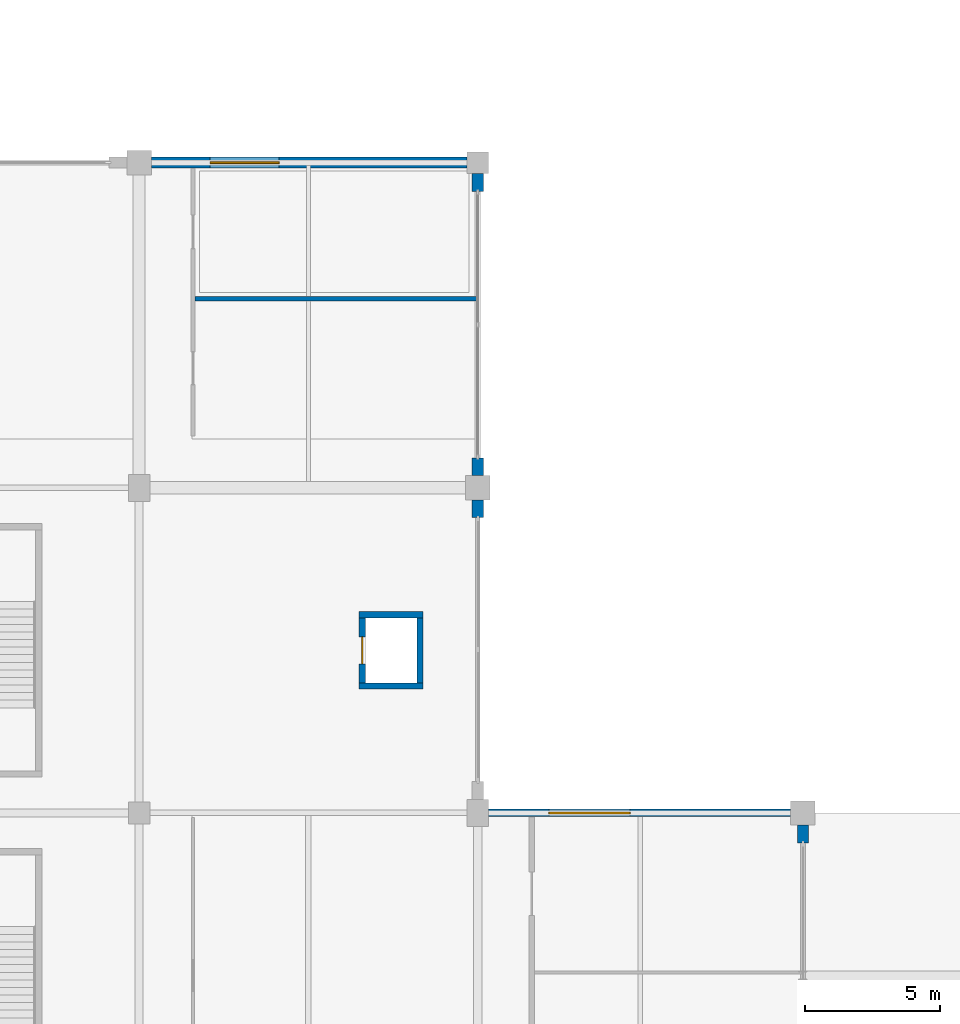
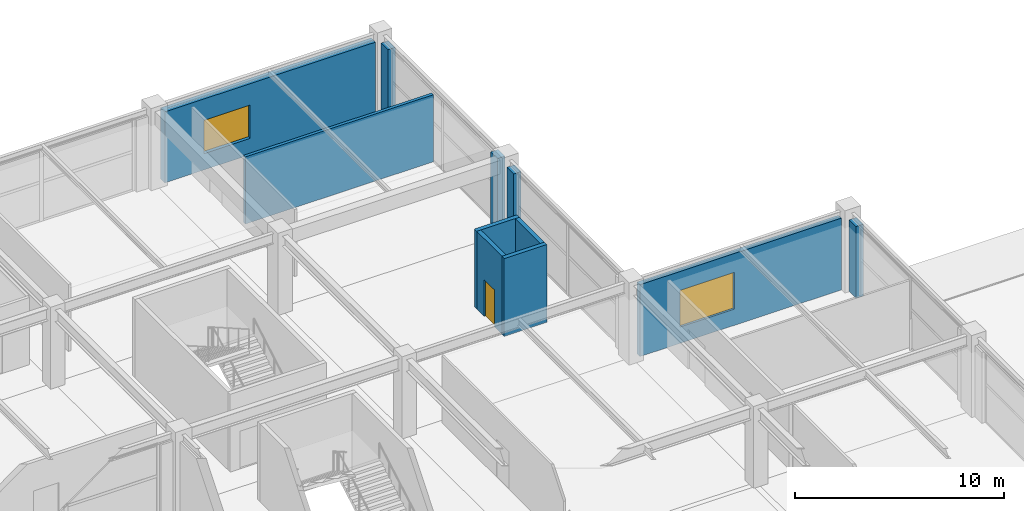
# One storey, part 93 of 134: 11 walls, 2 windows, 1 door, 3 openings.
"""IFC4 building model written with IfcOpenShell, lengths in metres."""

from ifc_helpers import new_model, si_unit, direction, frame, frame_2d, origin, place, context, subcontext, project, spatial, rectangle, extrude, material, layer, layer_set, type_object, element, fill, save


model = new_model("IFC4")

# Units and contexts
model_context = context("Model", 3, precision=1e-05, world=origin(), true_north=direction((0.0, 1.0)))
body_context = subcontext(model_context, "Body", "Model", "MODEL_VIEW")
ifc_project = project(units=[si_unit("LENGTHUNIT", "METRE"), si_unit("AREAUNIT", "SQUARE_METRE"), si_unit("VOLUMEUNIT", "CUBIC_METRE"), si_unit("PLANEANGLEUNIT", "RADIAN"), si_unit("MASSUNIT", "GRAM", prefix="KILO")], contexts=[model_context])

# Site, building, storey
site_placement = place(None, origin())
site = spatial("IfcSite", under=ifc_project, at=site_placement, CompositionType="ELEMENT")
building_placement = place(site_placement, origin())
building = spatial("IfcBuilding", under=site, at=building_placement, Name="Kazenohara Klinker Stadium", CompositionType="ELEMENT")
storey_placement = place(building_placement, frame((0.0, 0.0, 5.39990234375)))
storey = spatial("IfcBuildingStorey", under=building, at=storey_placement, Name="L01", CompositionType="ELEMENT", Elevation=5.39990234375)

# Walls
ifc_material_1 = material(Name="Concrete C40/50", Category="concrete")
ifc_layer_1 = layer(ifc_material_1, 0.22998046875)
ifc_layer_set_1 = layer_set([ifc_layer_1], Name="Concrete C40/50")
wall_type_1 = type_object("IfcWallType", Name="WAL-CORE-230", PredefinedType="SHEAR", material=ifc_layer_set_1)
for number, where, z_axis, x_axis, name in (
    (1, (195.6201171875, 136.68505859375, 0.0), (0.0, 0.0, 1.0), (1.0, 0.0, 0.0), "Elevator shaft wall LP05 L01 South"),
    (2, (195.6201171875, 139.31494140625, 0.0), (0.0, 0.0, 1.0), (1.0, 0.0, 0.0), "Elevator shaft wall LP05 L01 North"),
):
    element("IfcWall", number, at=place(storey_placement, frame(where, z_axis=z_axis, x_axis=x_axis)), inside=storey, type_object=wall_type_1, Name=name, PredefinedType="SHEAR", context=body_context, shape_type="SweptSolid", body=[
        extrude(rectangle(XDim=2.35986328125, YDim=0.22998046875, at=frame_2d((1.179931640625, 0.0))), origin(), (0.0, 0.0, 1.0), 4.550048828125),
    ])

# Wall, opening, door
wall_1_placement = place(storey_placement, frame((195.735107421875, 136.800048828125, 0.0), z_axis=(0.0, 0.0, 1.0), x_axis=(0.0, 1.0, 0.0)))
wall_1 = element("IfcWall", 3, at=wall_1_placement, inside=storey, type_object=wall_type_1, Name="Elevator shaft wall LP05 L01 West", PredefinedType="SHEAR", context=body_context, shape_type="SweptSolid", body=[
    extrude(rectangle(XDim=2.39990234375, YDim=0.22998046875, at=frame_2d((1.199951171875, 0.0))), origin(), (0.0, 0.0, 1.0), 4.550048828125),
])
opening_1_placement = place(wall_1_placement, frame((0.699951171875, 0.0, 0.0)))
opening_1 = element("IfcOpeningElement", 4, at=opening_1_placement, cuts=wall_1, Name="Opening LD02", PredefinedType="OPENING", context=body_context, shape_type="SweptSolid", body=[
    extrude(rectangle(XDim=1.0, YDim=2.14990234375, at=frame_2d((0.5, 1.074951171875))), frame((0.0, 0.125, 0.0), z_axis=(0.0, -1.0, 0.0), x_axis=(1.0, 0.0, 0.0)), (0.0, 0.0, 1.0), 0.25),
])
ifc_material_2 = material(Name="Stainless steel sliding landing door", Category="steel")
door_type = type_object("IfcDoorType", Name="DR-LD02-1000x2150", OperationType="NOTDEFINED", PredefinedType="DOOR", material=ifc_material_2)
door_placement = place(opening_1_placement, origin())
door = element("IfcDoor", 5, at=door_placement, inside=storey, type_object=door_type, Name="Elevator sliding landing door LP05-L01", OperationType="DOUBLE_DOOR_SLIDING", OverallHeight=2.14990234375, OverallWidth=1.0, PredefinedType="DOOR", context=body_context, shape_type="SweptSolid", body=[
    extrude(rectangle(XDim=1.0, YDim=2.14990234375, at=frame_2d((0.5, 1.074951171875))), frame((0.0, 0.02490234375, 0.0), z_axis=(0.0, -1.0, 0.0), x_axis=(1.0, 0.0, 0.0)), (0.0, 0.0, 1.0), 0.050048828125),
])
fill(opening_1, door)

# Wall
wall_2_placement = place(storey_placement, frame((197.864990234375, 136.800048828125, 0.0), z_axis=(0.0, 0.0, 1.0), x_axis=(0.0, 1.0, 0.0)))
element("IfcWall", 6, at=wall_2_placement, inside=storey, type_object=wall_type_1, Name="Elevator shaft wall LP05 L01 East", PredefinedType="SHEAR", context=body_context, shape_type="SweptSolid", body=[
    extrude(rectangle(XDim=2.39990234375, YDim=0.22998046875, at=frame_2d((1.199951171875, 0.0))), origin(), (0.0, 0.0, 1.0), 4.550048828125),
])

# Wall, opening, window
ifc_material_3 = material(Name="Clinker brick masonry", Category="masonry")
ifc_layer_2 = layer(ifc_material_3, 0.280029296875)
ifc_layer_set_2 = layer_set([ifc_layer_2], Name="Clinker brick masonry")
wall_type_2 = type_object("IfcWallType", Name="WAL-EXT-CB280", PredefinedType="SOLIDWALL", material=ifc_layer_set_2)
wall_3_placement = place(storey_placement, frame((200.404052734375, 132.0, 0.0), z_axis=(0.0, 0.0, 1.0), x_axis=(1.0, 0.0, 0.0)))
wall_3 = element("IfcWall", 7, at=wall_3_placement, inside=storey, type_object=wall_type_2, Name="Clinker brick cavity wall EW06 L01 X16-11", PredefinedType="SOLIDWALL", context=body_context, shape_type="SweptSolid", body=[
    extrude(rectangle(XDim=11.141845703125, YDim=0.280029296875, at=frame_2d((5.57080078125, 0.0))), origin(), (0.0, 0.0, 1.0), 4.2001953125),
])
opening_2_placement = place(wall_3_placement, frame((2.216064453125, 0.0, 0.949951171875)))
opening_2 = element("IfcOpeningElement", 8, at=opening_2_placement, cuts=wall_3, Name="Opening W31", PredefinedType="OPENING", context=body_context, shape_type="SweptSolid", body=[
    extrude(rectangle(XDim=3.0, YDim=2.14990234375, at=frame_2d((1.5, 1.074951171875))), frame((0.0, 0.14990234375, 0.0), z_axis=(0.0, -1.0, 0.0), x_axis=(1.0, 0.0, 0.0)), (0.0, 0.0, 1.0), 0.300048828125),
])
ifc_material_4 = material(Name="Dark bronze aluminium frame and triple glazing", Category="aluminium")
window_type_1 = type_object("IfcWindowType", Name="WIN-AS-31", PartitioningType="SINGLE_PANEL", PredefinedType="WINDOW", material=ifc_material_4)
window_1_placement = place(opening_2_placement, origin())
window_1 = element("IfcWindow", 9, at=window_1_placement, inside=storey, type_object=window_type_1, Name="Horizontal-mullion ladder window W31 L01 X16-11", OverallHeight=2.14990234375, OverallWidth=3.0, PartitioningType="SINGLE_PANEL", PredefinedType="WINDOW", context=body_context, shape_type="SweptSolid", body=[
    extrude(rectangle(XDim=3.0, YDim=2.14990234375, at=frame_2d((1.5, 1.074951171875))), frame((0.0, 0.030029296875, 0.0), z_axis=(0.0, -1.0, 0.0), x_axis=(1.0, 0.0, 0.0)), (0.0, 0.0, 1.0), 0.06005859375),
])
fill(opening_2, window_1)

# Wall
ifc_layer_3 = layer(ifc_material_3, 0.409912109375)
ifc_layer_set_3 = layer_set([ifc_layer_3], Name="Clinker brick masonry")
wall_type_3 = type_object("IfcWallType", Name="WAL-EXT-CB410", PredefinedType="SOLIDWALL", material=ifc_layer_set_3)
wall_4_placement = place(storey_placement, frame((200.0, 142.89599609375, 0.0), z_axis=(0.0, 0.0, 1.0), x_axis=(0.0, 1.0, 0.0)))
element("IfcWall", 10, at=wall_4_placement, inside=storey, type_object=wall_type_3, Name="Clinker brick curtain-wall jamb pier L01 Y16-11 B", PredefinedType="SOLIDWALL", context=body_context, shape_type="SweptSolid", body=[
    extrude(rectangle(XDim=0.64990234375, YDim=0.409912109375, at=frame_2d((0.324951171875, 0.0))), origin(), (0.0, 0.0, 1.0), 4.2001953125),
])

# Wall, opening, window
wall_5_placement = place(storey_placement, frame((187.9541015625, 156.0, 0.0), z_axis=(0.0, 0.0, 1.0), x_axis=(1.0, 0.0, 0.0)))
wall_5 = element("IfcWall", 11, at=wall_5_placement, inside=storey, type_object=wall_type_3, Name="Clinker brick cavity wall EW02 L01 X15-13", PredefinedType="SOLIDWALL", context=body_context, shape_type="SweptSolid", body=[
    extrude(rectangle(XDim=11.641845703125, YDim=0.409912109375, at=frame_2d((5.82080078125, 0.0))), origin(), (0.0, 0.0, 1.0), 4.150146484375),
])
opening_3_placement = place(wall_5_placement, frame((2.166015625, 0.0, 0.949951171875)))
opening_3 = element("IfcOpeningElement", 12, at=opening_3_placement, cuts=wall_5, Name="Opening W26", PredefinedType="OPENING", context=body_context, shape_type="SweptSolid", body=[
    extrude(rectangle(XDim=2.550048828125, YDim=1.949951171875, at=frame_2d((1.27490234375, 0.97509765625))), frame((0.0, 0.21484375, 0.0), z_axis=(0.0, -1.0, 0.0), x_axis=(1.0, 0.0, 0.0)), (0.0, 0.0, 1.0), 0.429931640625),
])
window_type_2 = type_object("IfcWindowType", Name="WIN-AS-26", PartitioningType="SINGLE_PANEL", PredefinedType="WINDOW", material=ifc_material_4)
window_2_placement = place(opening_3_placement, origin())
window_2 = element("IfcWindow", 13, at=window_2_placement, inside=storey, type_object=window_type_2, Name="Horizontal-mullion ladder window W26 L01 X15-13", OverallHeight=1.949951171875, OverallWidth=2.550048828125, PartitioningType="SINGLE_PANEL", PredefinedType="WINDOW", context=body_context, shape_type="SweptSolid", body=[
    extrude(rectangle(XDim=2.550048828125, YDim=1.949951171875, at=frame_2d((1.27490234375, 0.97509765625))), frame((0.0, 0.030029296875, 0.0), z_axis=(0.0, -1.0, 0.0), x_axis=(1.0, 0.0, 0.0)), (0.0, 0.0, 1.0), 0.06005859375),
])
fill(opening_3, window_2)

# Walls
for number, where, z_axis, x_axis, name in (
    (14, (200.0, 144.4541015625, 0.0), (0.0, 0.0, 1.0), (0.0, 1.0, 0.0), "Clinker brick curtain-wall jamb pier L01 Y16-12 A"),
    (15, (200.0, 154.946044921875, 0.0), (0.0, 0.0, 1.0), (0.0, 1.0, 0.0), "Clinker brick curtain-wall jamb pier L01 Y16-12 B"),
):
    element("IfcWall", number, at=place(storey_placement, frame(where, z_axis=z_axis, x_axis=x_axis)), inside=storey, type_object=wall_type_3, Name=name, PredefinedType="SOLIDWALL", context=body_context, shape_type="SweptSolid", body=[
        extrude(rectangle(XDim=0.64990234375, YDim=0.409912109375, at=frame_2d((0.324951171875, 0.0))), origin(), (0.0, 0.0, 1.0), 4.150146484375),
    ])
wall_6_placement = place(storey_placement, frame((212.0, 130.89599609375, 0.0), z_axis=(0.0, 0.0, 1.0), x_axis=(0.0, 1.0, 0.0)))
element("IfcWall", 16, at=wall_6_placement, inside=storey, type_object=wall_type_3, Name="Clinker brick curtain-wall jamb pier L01 Y17-10 B", PredefinedType="SOLIDWALL", context=body_context, shape_type="SweptSolid", body=[
    extrude(rectangle(XDim=0.64990234375, YDim=0.409912109375, at=frame_2d((0.324951171875, 0.0))), origin(), (0.0, 0.0, 1.0), 4.2001953125),
])
ifc_material_5 = material(Name="Fire-rated gypsum board on acoustic studs", Category="gypsum")
ifc_layer_4 = layer(ifc_material_5, 0.169921875)
ifc_layer_set_4 = layer_set([ifc_layer_4], Name="Fire-rated gypsum board on acoustic studs")
wall_type_4 = type_object("IfcWallType", Name="WAL-INT-P170", PredefinedType="PARTITIONING", material=ifc_layer_set_4)
wall_7_placement = place(storey_placement, frame((189.570068359375, 150.979248046875, 0.0), z_axis=(0.0, 0.0, 1.0), x_axis=(1.0, 0.0, 0.0)))
element("IfcWall", 17, at=wall_7_placement, inside=storey, type_object=wall_type_4, Name="Interior partition wall PT05 SPC-L01-15-12-1-2", PredefinedType="PARTITIONING", context=body_context, shape_type="SweptSolid", body=[
    extrude(rectangle(XDim=10.406005859375, YDim=0.169921875, at=frame_2d((5.203125, 0.0))), origin(), (0.0, 0.0, 1.0), 3.920166015625),
])

save(model, "model.ifc")
